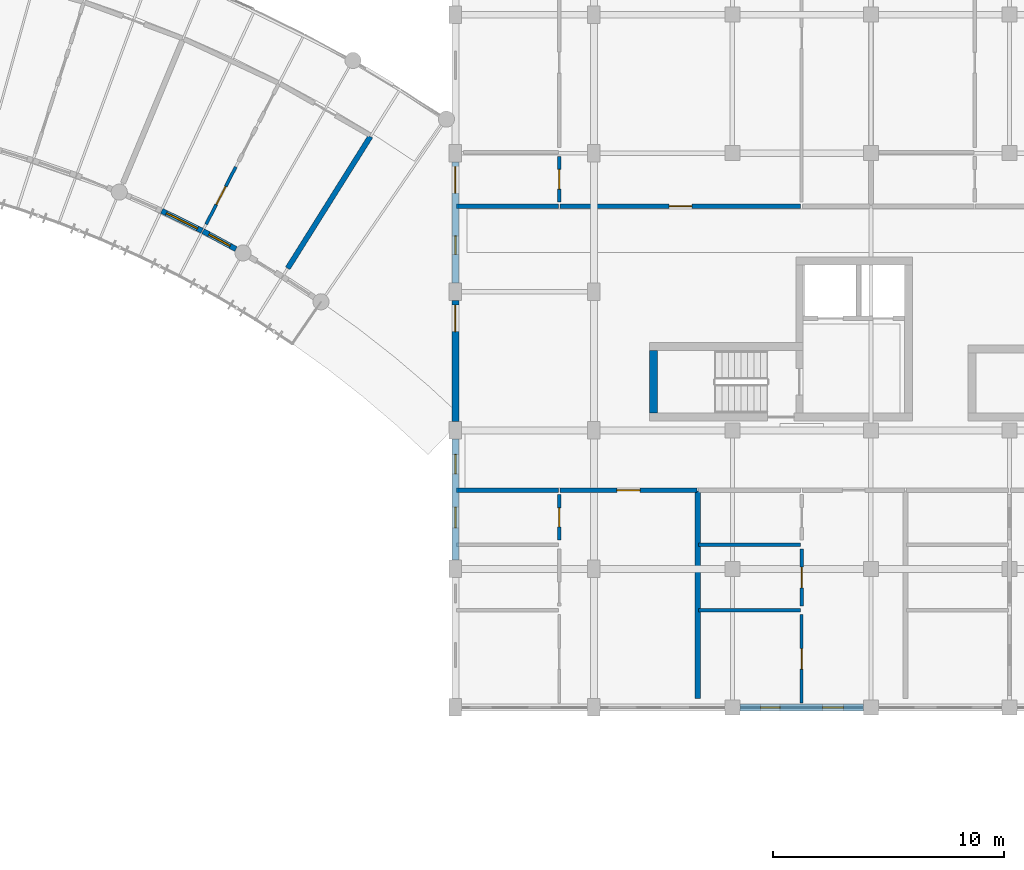
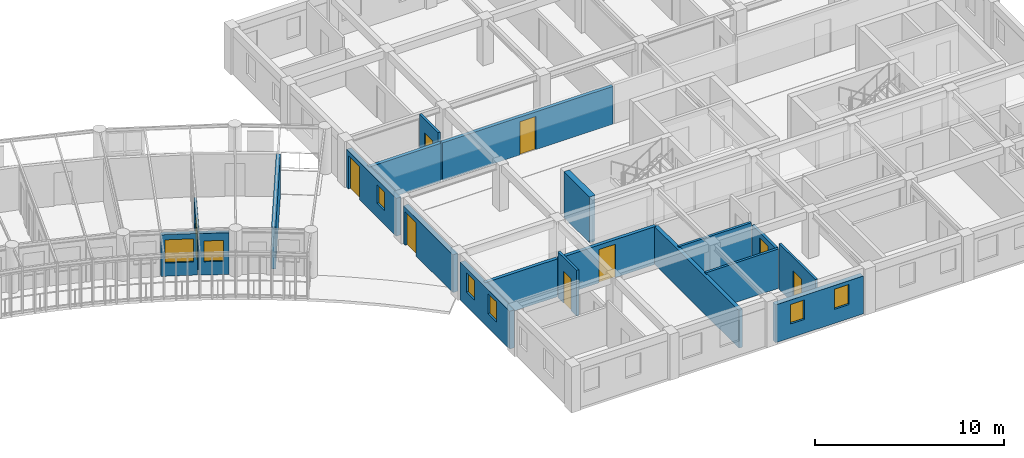
# One storey, part 77 of 100: 20 walls, 9 doors, 7 windows, 16 openings.
"""IFC4 building model written with IfcOpenShell, lengths in metres."""

from ifc_helpers import new_model, si_unit, direction, frame, frame_2d, origin, place, context, subcontext, project, spatial, rectangle, extrude, material, layer, layer_set, type_object, element, fill, save


model = new_model("IFC4")

# Units and contexts
model_context = context("Model", 3, precision=1e-05, world=origin(), true_north=direction((0.0, 1.0)))
body_context = subcontext(model_context, "Body", "Model", "MODEL_VIEW")
ifc_project = project(units=[si_unit("LENGTHUNIT", "METRE"), si_unit("AREAUNIT", "SQUARE_METRE"), si_unit("VOLUMEUNIT", "CUBIC_METRE"), si_unit("PLANEANGLEUNIT", "RADIAN"), si_unit("MASSUNIT", "GRAM", prefix="KILO"), si_unit("POWERUNIT", "WATT"), si_unit("THERMODYNAMICTEMPERATUREUNIT", "KELVIN")], contexts=[model_context])

# Site, building, storey
site_placement = place(None, origin())
site = spatial("IfcSite", under=ifc_project, at=site_placement, CompositionType="ELEMENT")
building_placement = place(site_placement, origin())
building = spatial("IfcBuilding", under=site, at=building_placement, Name="Ruvembo Vaulted Housing Court", CompositionType="ELEMENT")
storey_placement = place(building_placement, frame((0.0, 0.0, 10.89990234375)))
storey = spatial("IfcBuildingStorey", under=building, at=storey_placement, Name="L03", CompositionType="ELEMENT", Elevation=10.89990234375)

# Walls
ifc_material_1 = material(Name="Concrete C35/45", Category="concrete")
ifc_layer_1 = layer(ifc_material_1, 0.35009765625, Name="Concrete C35/45")
ifc_layer_set_1 = layer_set([ifc_layer_1], Name="Concrete C35/45")
wall_type_1 = type_object("IfcWallType", Name="WL-CORE-350", PredefinedType="SHEAR", material=ifc_layer_set_1)
wall_1_placement = place(storey_placement, frame((158.574951171875, 87.449951171875, 0.0), z_axis=(0.0, 0.0, 1.0), x_axis=(0.0, -1.0, 0.0)))
element("IfcWall", 1, at=wall_1_placement, inside=storey, type_object=wall_type_1, Name="Core D1 L03 Stair West Shear Wall", PredefinedType="SHEAR", context=body_context, shape_type="SweptSolid", body=[
    extrude(rectangle(XDim=2.699951171875, YDim=0.35009765625, at=frame_2d((1.35009765625, 0.0))), origin(), (0.0, 0.0, 1.0), 2.960205078125),
])
ifc_material_2 = material(Name="Concrete Blockwork 200", Category="masonry")
ifc_layer_2 = layer(ifc_material_2, 0.199951171875, Name="Concrete Blockwork 200")
ifc_layer_set_2 = layer_set([ifc_layer_2], Name="Concrete Blockwork 200")
wall_type_2 = type_object("IfcWallType", Name="WL-CORR-200", PredefinedType="SOLIDWALL", material=ifc_layer_set_2)
wall_2_placement = place(storey_placement, frame((150.0400390625, 81.39990234375, 0.0), z_axis=(0.0, 0.0, 1.0), x_axis=(1.0, 0.0, 0.0)))
element("IfcWall", 2, at=wall_2_placement, inside=storey, type_object=wall_type_2, Name="L03 Flat D-L03-S1 Corridor Wall WL-INT-L03-00926", PredefinedType="SOLIDWALL", context=body_context, shape_type="SweptSolid", body=[
    extrude(rectangle(XDim=4.419921875, YDim=0.199951171875, at=frame_2d((2.2099609375, 0.0))), origin(), (0.0, 0.0, 1.0), 2.442138671875),
])

# Wall, opening, door
wall_3_placement = place(storey_placement, frame((154.5400390625, 81.39990234375, 0.0), z_axis=(0.0, 0.0, 1.0), x_axis=(1.0, 0.0, 0.0)))
wall_3 = element("IfcWall", 3, at=wall_3_placement, inside=storey, type_object=wall_type_2, Name="L03 Flat D-L03-S1 Entrance WL-INT-L03-00927", PredefinedType="SOLIDWALL", context=body_context, shape_type="SweptSolid", body=[
    extrude(rectangle(XDim=5.919921875, YDim=0.199951171875, at=frame_2d((2.9599609375, 0.0))), origin(), (0.0, 0.0, 1.0), 2.442138671875),
])
opening_1_placement = place(wall_3_placement, frame((2.4599609375, 0.0, 0.0)))
opening_1 = element("IfcOpeningElement", 4, at=opening_1_placement, cuts=wall_3, Name="Opening FD1", PredefinedType="OPENING", context=body_context, shape_type="SweptSolid", body=[
    extrude(rectangle(XDim=1.0, YDim=2.14990234375, at=frame_2d((0.5, 1.074951171875))), frame((0.0, 0.10986328125, 0.0), z_axis=(0.0, -1.0, 0.0), x_axis=(1.0, 0.0, 0.0)), (0.0, 0.0, 1.0), 0.219970703125),
])
ifc_material_3 = material(Name="FSC Hardwood and Engineered Timber", Category="wood")
door_type_1 = type_object("IfcDoorType", Name="DR-FLAT-1000x2150", OperationType="NOTDEFINED", PredefinedType="DOOR", material=ifc_material_3)
door_1_placement = place(opening_1_placement, origin())
door_1 = element("IfcDoor", 5, at=door_1_placement, inside=storey, type_object=door_type_1, Name="L03 Flat D-L03-S1 Entrance Door DR-INT-L03-00510", OperationType="SINGLE_SWING_RIGHT", OverallHeight=2.14990234375, OverallWidth=1.0, PredefinedType="DOOR", context=body_context, shape_type="SweptSolid", body=[
    extrude(rectangle(XDim=1.0, YDim=2.14990234375, at=frame_2d((0.5, 1.074951171875))), frame((0.0, 0.02490234375, 0.0), z_axis=(0.0, -1.0, 0.0), x_axis=(1.0, 0.0, 0.0)), (0.0, 0.0, 1.0), 0.050048828125),
])
fill(opening_1, door_1)

# Wall
wall_4_placement = place(storey_placement, frame((150.0400390625, 93.699951171875, 0.0), z_axis=(0.0, 0.0, 1.0), x_axis=(1.0, 0.0, 0.0)))
element("IfcWall", 6, at=wall_4_placement, inside=storey, type_object=wall_type_2, Name="L03 Flat D-L03-N1 Corridor Wall WL-INT-L03-00957", PredefinedType="SOLIDWALL", context=body_context, shape_type="SweptSolid", body=[
    extrude(rectangle(XDim=4.419921875, YDim=0.199951171875, at=frame_2d((2.2099609375, 0.0))), origin(), (0.0, 0.0, 1.0), 2.442138671875),
])

# Wall, opening, door
wall_5_placement = place(storey_placement, frame((154.5400390625, 93.699951171875, 0.0), z_axis=(0.0, 0.0, 1.0), x_axis=(1.0, 0.0, 0.0)))
wall_5 = element("IfcWall", 7, at=wall_5_placement, inside=storey, type_object=wall_type_2, Name="L03 Flat D-L03-N1 Entrance WL-INT-L03-00958", PredefinedType="SOLIDWALL", context=body_context, shape_type="SweptSolid", body=[
    extrude(rectangle(XDim=10.419921875, YDim=0.199951171875, at=frame_2d((5.2099609375, 0.0))), origin(), (0.0, 0.0, 1.0), 2.442138671875),
])
opening_2_placement = place(wall_5_placement, frame((4.719970703125, 0.0, 0.0)))
opening_2 = element("IfcOpeningElement", 8, at=opening_2_placement, cuts=wall_5, Name="Opening FD2", PredefinedType="OPENING", context=body_context, shape_type="SweptSolid", body=[
    extrude(rectangle(XDim=0.97998046875, YDim=2.14990234375, at=frame_2d((0.489990234375, 1.074951171875))), frame((0.0, 0.10986328125, 0.0), z_axis=(0.0, -1.0, 0.0), x_axis=(1.0, 0.0, 0.0)), (0.0, 0.0, 1.0), 0.219970703125),
])
door_type_2 = type_object("IfcDoorType", Name="DR-FLAT-0980x2150", OperationType="NOTDEFINED", PredefinedType="DOOR", material=ifc_material_3)
door_2_placement = place(opening_2_placement, origin())
door_2 = element("IfcDoor", 9, at=door_2_placement, inside=storey, type_object=door_type_2, Name="L03 Flat D-L03-N1 Entrance Door DR-INT-L03-00526", OperationType="SINGLE_SWING_RIGHT", OverallHeight=2.14990234375, OverallWidth=0.97998046875, PredefinedType="DOOR", context=body_context, shape_type="SweptSolid", body=[
    extrude(rectangle(XDim=0.97998046875, YDim=2.14990234375, at=frame_2d((0.489990234375, 1.074951171875))), frame((0.0, 0.02490234375, 0.0), z_axis=(0.0, -1.0, 0.0), x_axis=(1.0, 0.0, 0.0)), (0.0, 0.0, 1.0), 0.050048828125),
])
fill(opening_2, door_2)

# Walls
ifc_material_4 = material(Name="Acoustic Masonry Demising 230", Category="masonry")
ifc_layer_3 = layer(ifc_material_4, 0.22998046875, Name="Acoustic Masonry Demising 230")
ifc_layer_set_3 = layer_set([ifc_layer_3], Name="Acoustic Masonry Demising 230")
wall_type_3 = type_object("IfcWallType", Name="WL-DEM-230", PredefinedType="SOLIDWALL", material=ifc_layer_set_3)
wall_6_placement = place(storey_placement, frame((160.5, 72.389892578125, 0.0), z_axis=(0.0, 0.0, 1.0), x_axis=(0.0, 1.0, 0.0)))
element("IfcWall", 10, at=wall_6_placement, inside=storey, type_object=wall_type_3, Name="L03 Demising D-L03-S1 WL-INT-L03-00925", PredefinedType="SOLIDWALL", context=body_context, shape_type="SweptSolid", body=[
    extrude(rectangle(XDim=8.97021484375, YDim=0.22998046875, at=frame_2d((4.485107421875, 0.0))), origin(), (0.0, 0.0, 1.0), 2.442138671875),
])
wall_7_placement = place(storey_placement, frame((142.73828125, 91.017333984375, 0.0), z_axis=(0.0, 0.0, 1.0), x_axis=(0.531512997039, 0.847050136638, 0.0)))
element("IfcWall", 11, at=wall_7_placement, inside=storey, type_object=wall_type_3, Name="L03 Suite SC3-L03-U7 Demising WL-INT-L03-01086", PredefinedType="SOLIDWALL", context=body_context, shape_type="SweptSolid", body=[
    extrude(rectangle(XDim=6.736083984375, YDim=0.22998046875, at=frame_2d((3.3681640625, 0.0))), origin(), (0.0, 0.0, 1.0), 2.72216796875),
])

# Wall, opening, window
ifc_material_5 = material(Name="Rendered Masonry 235", Category="masonry")
ifc_layer_4 = layer(ifc_material_5, 0.235107421875, Name="Rendered Masonry 235")
ifc_layer_set_4 = layer_set([ifc_layer_4], Name="Rendered Masonry 235")
wall_type_4 = type_object("IfcWallType", Name="WL-EXT-235", PredefinedType="STANDARD", material=ifc_layer_set_4)
wall_8_placement = place(storey_placement, frame((137.283203125, 93.50341796875, 0.0), z_axis=(0.0, 0.0, 1.0), x_axis=(0.897531751182, -0.44094983345, 0.0)))
wall_8 = element("IfcWall", 12, at=wall_8_placement, inside=storey, type_object=wall_type_4, Name="Scoop SC3 L03 Concave Balcony Wall 25", PredefinedType="STANDARD", context=body_context, shape_type="SweptSolid", body=[
    extrude(rectangle(XDim=1.9521484375, YDim=0.235107421875, at=frame_2d((0.97607421875, 0.0))), origin(), (0.0, 0.0, 1.0), 2.68408203125),
])
opening_3_placement = place(wall_8_placement, frame((0.22607421875, 0.0, 0.85009765625)))
opening_3 = element("IfcOpeningElement", 13, at=opening_3_placement, cuts=wall_8, Name="Opening W19", PredefinedType="OPENING", context=body_context, shape_type="SweptSolid", body=[
    extrude(rectangle(XDim=1.5, YDim=1.5, at=frame_2d((0.75, 0.75))), frame((0.0, 0.12744140625, 0.0), z_axis=(0.0, -1.0, 0.0), x_axis=(1.0, 0.0, 0.0)), (0.0, 0.0, 1.0), 0.255126953125),
])
ifc_material_6 = material(Name="Double Solar-Control Glazing in Aluminium Frame", Category="aluminium")
window_type_1 = type_object("IfcWindowType", Name="WIN-1500x1500", PartitioningType="SINGLE_PANEL", PredefinedType="WINDOW", material=ifc_material_6)
window_1_placement = place(opening_3_placement, origin())
window_1 = element("IfcWindow", 14, at=window_1_placement, inside=storey, type_object=window_type_1, Name="Scoop SC3 L03 Concave Window 25", OverallHeight=1.5, OverallWidth=1.5, PartitioningType="SINGLE_PANEL", PredefinedType="WINDOW", context=body_context, shape_type="SweptSolid", body=[
    extrude(rectangle(XDim=1.5, YDim=1.5, at=frame_2d((0.75, 0.75))), frame((0.0, 0.030029296875, 0.0), z_axis=(0.0, -1.0, 0.0), x_axis=(1.0, 0.0, 0.0)), (0.0, 0.0, 1.0), 0.06005859375),
])
fill(opening_3, window_1)

wall_9_placement = place(storey_placement, frame((139.071044921875, 92.624267578125, 0.0), z_axis=(0.0, 0.0, 1.0), x_axis=(0.878452871629, -0.477828999044, 0.0)))
wall_9 = element("IfcWall", 15, at=wall_9_placement, inside=storey, type_object=wall_type_4, Name="Scoop SC3 L03 Concave Balcony Wall 26", PredefinedType="STANDARD", context=body_context, shape_type="SweptSolid", body=[
    extrude(rectangle(XDim=1.622314453125, YDim=0.235107421875, at=frame_2d((0.81103515625, 0.0))), origin(), (0.0, 0.0, 1.0), 2.68408203125),
])
opening_4_placement = place(wall_9_placement, frame((0.2861328125, 0.0, 0.85009765625)))
opening_4 = element("IfcOpeningElement", 16, at=opening_4_placement, cuts=wall_9, Name="Opening W09", PredefinedType="OPENING", context=body_context, shape_type="SweptSolid", body=[
    extrude(rectangle(XDim=1.050048828125, YDim=1.35009765625, at=frame_2d((0.52490234375, 0.675048828125))), frame((0.0, 0.12744140625, 0.0), z_axis=(0.0, -1.0, 0.0), x_axis=(1.0, 0.0, 0.0)), (0.0, 0.0, 1.0), 0.255126953125),
])
window_type_2 = type_object("IfcWindowType", Name="WIN-1050x1350", PartitioningType="SINGLE_PANEL", PredefinedType="WINDOW", material=ifc_material_6)
window_2_placement = place(opening_4_placement, origin())
window_2 = element("IfcWindow", 17, at=window_2_placement, inside=storey, type_object=window_type_2, Name="Scoop SC3 L03 Concave Window 26", OverallHeight=1.35009765625, OverallWidth=1.050048828125, PartitioningType="SINGLE_PANEL", PredefinedType="WINDOW", context=body_context, shape_type="SweptSolid", body=[
    extrude(rectangle(XDim=1.050048828125, YDim=1.35009765625, at=frame_2d((0.52490234375, 0.675048828125))), frame((0.0, 0.030029296875, 0.0), z_axis=(0.0, -1.0, 0.0), x_axis=(1.0, 0.0, 0.0)), (0.0, 0.0, 1.0), 0.06005859375),
])
fill(opening_4, window_2)

# Wall, openings, windows
ifc_material_7 = material(Name="Rendered Masonry 300", Category="masonry")
ifc_layer_5 = layer(ifc_material_7, 0.300048828125, Name="Rendered Masonry 300")
ifc_layer_set_5 = layer_set([ifc_layer_5], Name="Rendered Masonry 300")
wall_type_5 = type_object("IfcWallType", Name="WL-EXT-300", PredefinedType="STANDARD", material=ifc_layer_set_5)
wall_10_placement = place(storey_placement, frame((162.324951171875, 72.0, 0.0), z_axis=(0.0, 0.0, 1.0), x_axis=(1.0, 0.0, 0.0)))
wall_10 = element("IfcWall", 18, at=wall_10_placement, inside=storey, type_object=wall_type_5, Name="Block D L03 Exterior Wall COURTYARD #3", PredefinedType="STANDARD", context=body_context, shape_type="SweptSolid", body=[
    extrude(rectangle(XDim=5.35009765625, YDim=0.300048828125, at=frame_2d((2.675048828125, 0.0))), origin(), (0.0, 0.0, 1.0), 2.442138671875),
])
opening_5_placement = place(wall_10_placement, frame((0.892578125, 0.0, 0.89990234375)))
opening_5 = element("IfcOpeningElement", 19, at=opening_5_placement, cuts=wall_10, Name="Opening W03", PredefinedType="OPENING", context=body_context, shape_type="SweptSolid", body=[
    extrude(rectangle(XDim=0.85009765625, YDim=1.25, at=frame_2d((0.425048828125, 0.625))), frame((0.0, 0.159912109375, 0.0), z_axis=(0.0, -1.0, 0.0), x_axis=(1.0, 0.0, 0.0)), (0.0, 0.0, 1.0), 0.320068359375),
])
opening_6_placement = place(wall_10_placement, frame((3.58251953125, 0.0, 0.89990234375)))
opening_6 = element("IfcOpeningElement", 20, at=opening_6_placement, cuts=wall_10, Name="Opening W04", PredefinedType="OPENING", context=body_context, shape_type="SweptSolid", body=[
    extrude(rectangle(XDim=0.89990234375, YDim=1.300048828125, at=frame_2d((0.449951171875, 0.64990234375))), frame((0.0, 0.159912109375, 0.0), z_axis=(0.0, -1.0, 0.0), x_axis=(1.0, 0.0, 0.0)), (0.0, 0.0, 1.0), 0.320068359375),
])
window_type_3 = type_object("IfcWindowType", Name="WIN-0850x1250", PartitioningType="SINGLE_PANEL", PredefinedType="WINDOW", material=ifc_material_6)
window_3_placement = place(opening_5_placement, origin())
window_3 = element("IfcWindow", 21, at=window_3_placement, inside=storey, type_object=window_type_3, Name="Block D L03 Window #1579", OverallHeight=1.25, OverallWidth=0.85009765625, PartitioningType="SINGLE_PANEL", PredefinedType="WINDOW", context=body_context, shape_type="SweptSolid", body=[
    extrude(rectangle(XDim=0.85009765625, YDim=1.25, at=frame_2d((0.425048828125, 0.625))), frame((0.0, 0.030029296875, 0.0), z_axis=(0.0, -1.0, 0.0), x_axis=(1.0, 0.0, 0.0)), (0.0, 0.0, 1.0), 0.06005859375),
])
fill(opening_5, window_3)
window_type_4 = type_object("IfcWindowType", Name="WIN-0900x1300", PartitioningType="SINGLE_PANEL", PredefinedType="WINDOW", material=ifc_material_6)
window_4_placement = place(opening_6_placement, origin())
window_4 = element("IfcWindow", 22, at=window_4_placement, inside=storey, type_object=window_type_4, Name="Block D L03 Window #1580", OverallHeight=1.300048828125, OverallWidth=0.89990234375, PartitioningType="SINGLE_PANEL", PredefinedType="WINDOW", context=body_context, shape_type="SweptSolid", body=[
    extrude(rectangle(XDim=0.89990234375, YDim=1.300048828125, at=frame_2d((0.449951171875, 0.64990234375))), frame((0.0, 0.030029296875, 0.0), z_axis=(0.0, -1.0, 0.0), x_axis=(1.0, 0.0, 0.0)), (0.0, 0.0, 1.0), 0.06005859375),
])
fill(opening_6, window_4)

# Wall, openings, door, window
wall_11_placement = place(storey_placement, frame((150.0, 95.625, 0.0), z_axis=(0.0, 0.0, 1.0), x_axis=(0.0, -1.0, 0.0)))
wall_11 = element("IfcWall", 23, at=wall_11_placement, inside=storey, type_object=wall_type_5, Name="Block D L03 Exterior Wall WEST #3", PredefinedType="STANDARD", context=body_context, shape_type="SweptSolid", body=[
    extrude(rectangle(XDim=5.25, YDim=0.300048828125, at=frame_2d((2.625, 0.0))), origin(), (0.0, 0.0, 1.0), 2.442138671875),
])
opening_7_placement = place(wall_11_placement, frame((0.199951171875, 0.0, 0.0)))
opening_7 = element("IfcOpeningElement", 24, at=opening_7_placement, cuts=wall_11, Name="Opening GD1", PredefinedType="OPENING", context=body_context, shape_type="SweptSolid", body=[
    extrude(rectangle(XDim=1.14990234375, YDim=2.14990234375, at=frame_2d((0.574951171875, 1.074951171875))), frame((0.0, 0.159912109375, 0.0), z_axis=(0.0, -1.0, 0.0), x_axis=(1.0, 0.0, 0.0)), (0.0, 0.0, 1.0), 0.320068359375),
])
opening_8_placement = place(wall_11_placement, frame((3.20751953125, 0.0, 0.89990234375)))
opening_8 = element("IfcOpeningElement", 25, at=opening_8_placement, cuts=wall_11, Name="Opening W02", PredefinedType="OPENING", context=body_context, shape_type="SweptSolid", body=[
    extrude(rectangle(XDim=0.800048828125, YDim=1.199951171875, at=frame_2d((0.39990234375, 0.60009765625))), frame((0.0, 0.159912109375, 0.0), z_axis=(0.0, -1.0, 0.0), x_axis=(1.0, 0.0, 0.0)), (0.0, 0.0, 1.0), 0.320068359375),
])
ifc_material_8 = material(Name="Thermally Broken Glazed Aluminium", Category="aluminium")
door_type_3 = type_object("IfcDoorType", Name="DR-GAL-1150x2150", OperationType="NOTDEFINED", PredefinedType="DOOR", material=ifc_material_8)
door_3_placement = place(opening_7_placement, frame((1.14990234375, 0.0, 0.0), z_axis=(0.0, 0.0, 1.0), x_axis=(-1.0, 0.0, 0.0)))
door_3 = element("IfcDoor", 26, at=door_3_placement, inside=storey, type_object=door_type_3, Name="Block D L03 Terrace or Gallery Door DR-TER-D-L03-072", OperationType="SINGLE_SWING_LEFT", OverallHeight=2.14990234375, OverallWidth=1.14990234375, PredefinedType="DOOR", context=body_context, shape_type="SweptSolid", body=[
    extrude(rectangle(XDim=1.14990234375, YDim=2.14990234375, at=frame_2d((0.574951171875, 1.074951171875))), frame((0.0, 0.02490234375, 0.0), z_axis=(0.0, -1.0, 0.0), x_axis=(1.0, 0.0, 0.0)), (0.0, 0.0, 1.0), 0.050048828125),
])
fill(opening_7, door_3)
window_type_5 = type_object("IfcWindowType", Name="WIN-0800x1200", PartitioningType="SINGLE_PANEL", PredefinedType="WINDOW", material=ifc_material_6)
window_5_placement = place(opening_8_placement, origin())
window_5 = element("IfcWindow", 27, at=window_5_placement, inside=storey, type_object=window_type_5, Name="Block D L03 Window #1614", OverallHeight=1.199951171875, OverallWidth=0.800048828125, PartitioningType="SINGLE_PANEL", PredefinedType="WINDOW", context=body_context, shape_type="SweptSolid", body=[
    extrude(rectangle(XDim=0.800048828125, YDim=1.199951171875, at=frame_2d((0.39990234375, 0.60009765625))), frame((0.0, 0.030029296875, 0.0), z_axis=(0.0, -1.0, 0.0), x_axis=(1.0, 0.0, 0.0)), (0.0, 0.0, 1.0), 0.06005859375),
])
fill(opening_8, window_5)

# Wall, opening, door
wall_12_placement = place(storey_placement, frame((150.0, 89.625, 0.0), z_axis=(0.0, 0.0, 1.0), x_axis=(0.0, -1.0, 0.0)))
wall_12 = element("IfcWall", 28, at=wall_12_placement, inside=storey, type_object=wall_type_5, Name="Block D L03 Exterior Wall WEST #4", PredefinedType="STANDARD", context=body_context, shape_type="SweptSolid", body=[
    extrude(rectangle(XDim=5.25, YDim=0.300048828125, at=frame_2d((2.625, 0.0))), origin(), (0.0, 0.0, 1.0), 2.442138671875),
])
opening_9_placement = place(wall_12_placement, frame((0.199951171875, 0.0, 0.0)))
opening_9 = element("IfcOpeningElement", 29, at=opening_9_placement, cuts=wall_12, Name="Opening GD1", PredefinedType="OPENING", context=body_context, shape_type="SweptSolid", body=[
    extrude(rectangle(XDim=1.14990234375, YDim=2.14990234375, at=frame_2d((0.574951171875, 1.074951171875))), frame((0.0, 0.159912109375, 0.0), z_axis=(0.0, -1.0, 0.0), x_axis=(1.0, 0.0, 0.0)), (0.0, 0.0, 1.0), 0.320068359375),
])
door_4_placement = place(opening_9_placement, frame((1.14990234375, 0.0, 0.0), z_axis=(0.0, 0.0, 1.0), x_axis=(-1.0, 0.0, 0.0)))
door_4 = element("IfcDoor", 30, at=door_4_placement, inside=storey, type_object=door_type_3, Name="Block D L03 Terrace or Gallery Door DR-TER-D-L03-073", OperationType="SINGLE_SWING_RIGHT", OverallHeight=2.14990234375, OverallWidth=1.14990234375, PredefinedType="DOOR", context=body_context, shape_type="SweptSolid", body=[
    extrude(rectangle(XDim=1.14990234375, YDim=2.14990234375, at=frame_2d((0.574951171875, 1.074951171875))), frame((0.0, 0.02490234375, 0.0), z_axis=(0.0, -1.0, 0.0), x_axis=(1.0, 0.0, 0.0)), (0.0, 0.0, 1.0), 0.050048828125),
])
fill(opening_9, door_4)

# Wall, openings, windows
wall_13_placement = place(storey_placement, frame((150.0, 83.625, 0.0), z_axis=(0.0, 0.0, 1.0), x_axis=(0.0, -1.0, 0.0)))
wall_13 = element("IfcWall", 31, at=wall_13_placement, inside=storey, type_object=wall_type_5, Name="Block D L03 Exterior Wall WEST #5", PredefinedType="STANDARD", context=body_context, shape_type="SweptSolid", body=[
    extrude(rectangle(XDim=5.25, YDim=0.300048828125, at=frame_2d((2.625, 0.0))), origin(), (0.0, 0.0, 1.0), 2.442138671875),
])
opening_10_placement = place(wall_13_placement, frame((0.66748046875, 0.0, 0.89990234375)))
opening_10 = element("IfcOpeningElement", 32, at=opening_10_placement, cuts=wall_13, Name="Opening W03", PredefinedType="OPENING", context=body_context, shape_type="SweptSolid", body=[
    extrude(rectangle(XDim=0.85009765625, YDim=1.25, at=frame_2d((0.425048828125, 0.625))), frame((0.0, 0.159912109375, 0.0), z_axis=(0.0, -1.0, 0.0), x_axis=(1.0, 0.0, 0.0)), (0.0, 0.0, 1.0), 0.320068359375),
])
opening_11_placement = place(wall_13_placement, frame((2.949951171875, 0.0, 0.89990234375)))
opening_11 = element("IfcOpeningElement", 33, at=opening_11_placement, cuts=wall_13, Name="Opening W04", PredefinedType="OPENING", context=body_context, shape_type="SweptSolid", body=[
    extrude(rectangle(XDim=0.89990234375, YDim=1.300048828125, at=frame_2d((0.449951171875, 0.64990234375))), frame((0.0, 0.159912109375, 0.0), z_axis=(0.0, -1.0, 0.0), x_axis=(1.0, 0.0, 0.0)), (0.0, 0.0, 1.0), 0.320068359375),
])
window_6_placement = place(opening_10_placement, origin())
window_6 = element("IfcWindow", 34, at=window_6_placement, inside=storey, type_object=window_type_3, Name="Block D L03 Window #1615", OverallHeight=1.25, OverallWidth=0.85009765625, PartitioningType="SINGLE_PANEL", PredefinedType="WINDOW", context=body_context, shape_type="SweptSolid", body=[
    extrude(rectangle(XDim=0.85009765625, YDim=1.25, at=frame_2d((0.425048828125, 0.625))), frame((0.0, 0.030029296875, 0.0), z_axis=(0.0, -1.0, 0.0), x_axis=(1.0, 0.0, 0.0)), (0.0, 0.0, 1.0), 0.06005859375),
])
fill(opening_10, window_6)
window_7_placement = place(opening_11_placement, origin())
window_7 = element("IfcWindow", 35, at=window_7_placement, inside=storey, type_object=window_type_4, Name="Block D L03 Window #1616", OverallHeight=1.300048828125, OverallWidth=0.89990234375, PartitioningType="SINGLE_PANEL", PredefinedType="WINDOW", context=body_context, shape_type="SweptSolid", body=[
    extrude(rectangle(XDim=0.89990234375, YDim=1.300048828125, at=frame_2d((0.449951171875, 0.64990234375))), frame((0.0, 0.030029296875, 0.0), z_axis=(0.0, -1.0, 0.0), x_axis=(1.0, 0.0, 0.0)), (0.0, 0.0, 1.0), 0.06005859375),
])
fill(opening_11, window_7)

# Wall, opening, door
ifc_material_9 = material(Name="Acoustic Stud Partition 135", Category="gypsum")
ifc_layer_6 = layer(ifc_material_9, 0.135009765625, Name="Acoustic Stud Partition 135")
ifc_layer_set_6 = layer_set([ifc_layer_6], Name="Acoustic Stud Partition 135")
wall_type_6 = type_object("IfcWallType", Name="WL-PART-135", PredefinedType="PARTITIONING", material=ifc_layer_set_6)
wall_14_placement = place(storey_placement, frame((165.0, 72.18994140625, 0.0), z_axis=(0.0, 0.0, 1.0), x_axis=(0.0, 1.0, 0.0)))
wall_14 = element("IfcWall", 36, at=wall_14_placement, inside=storey, type_object=wall_type_6, Name="L03 Flat D-L03-S2 Bedroom 1 WL-INT-L03-00936", PredefinedType="PARTITIONING", context=body_context, shape_type="SweptSolid", body=[
    extrude(rectangle(XDim=3.820068359375, YDim=0.135009765625, at=frame_2d((1.91015625, 0.0))), origin(), (0.0, 0.0, 1.0), 2.960205078125),
])
opening_12_placement = place(wall_14_placement, frame((1.469970703125, 0.0, 0.0)))
opening_12 = element("IfcOpeningElement", 37, at=opening_12_placement, cuts=wall_14, Name="Opening ID3", PredefinedType="OPENING", context=body_context, shape_type="SweptSolid", body=[
    extrude(rectangle(XDim=0.8798828125, YDim=2.10009765625, at=frame_2d((0.43994140625, 1.050048828125))), frame((0.0, 0.077392578125, 0.0), z_axis=(0.0, -1.0, 0.0), x_axis=(1.0, 0.0, 0.0)), (0.0, 0.0, 1.0), 0.155029296875),
])
door_type_4 = type_object("IfcDoorType", Name="DR-ROOM-0880x2100", OperationType="NOTDEFINED", PredefinedType="DOOR", material=ifc_material_3)
door_5_placement = place(opening_12_placement, origin())
door_5 = element("IfcDoor", 38, at=door_5_placement, inside=storey, type_object=door_type_4, Name="L03 Flat D-L03-S2 Bedroom 1 Door DR-INT-L03-00515", OperationType="SINGLE_SWING_LEFT", OverallHeight=2.10009765625, OverallWidth=0.8798828125, PredefinedType="DOOR", context=body_context, shape_type="SweptSolid", body=[
    extrude(rectangle(XDim=0.8798828125, YDim=2.10009765625, at=frame_2d((0.43994140625, 1.050048828125))), frame((0.0, 0.02490234375, 0.0), z_axis=(0.0, -1.0, 0.0), x_axis=(1.0, 0.0, 0.0)), (0.0, 0.0, 1.0), 0.050048828125),
])
fill(opening_12, door_5)

wall_15_placement = place(storey_placement, frame((139.2041015625, 92.92529296875, 0.0), z_axis=(0.0, 0.0, 1.0), x_axis=(0.459449012792, 0.888204145816, 0.0)))
wall_15 = element("IfcWall", 39, at=wall_15_placement, inside=storey, type_object=wall_type_6, Name="L03 Suite SC3-L03-U7 Bedroom WL-INT-L03-01083", PredefinedType="PARTITIONING", context=body_context, shape_type="SweptSolid", body=[
    extrude(rectangle(XDim=2.7998046875, YDim=0.135009765625, at=frame_2d((1.39990234375, 0.0))), origin(), (0.0, 0.0, 1.0), 2.7421875),
])
opening_13_placement = place(wall_15_placement, frame((0.9599609375, 0.0, 0.0)))
opening_13 = element("IfcOpeningElement", 40, at=opening_13_placement, cuts=wall_15, Name="Opening ID3", PredefinedType="OPENING", context=body_context, shape_type="SweptSolid", body=[
    extrude(rectangle(XDim=0.8798828125, YDim=2.10009765625, at=frame_2d((0.43994140625, 1.050048828125))), frame((0.0, 0.077392578125, 0.0), z_axis=(0.0, -1.0, 0.0), x_axis=(1.0, 0.0, 0.0)), (0.0, 0.0, 1.0), 0.155029296875),
])
door_6_placement = place(opening_13_placement, origin())
door_6 = element("IfcDoor", 41, at=door_6_placement, inside=storey, type_object=door_type_4, Name="L03 Suite SC3-L03-U7 Bedroom Door DR-INT-L03-00609", OperationType="SINGLE_SWING_LEFT", OverallHeight=2.10009765625, OverallWidth=0.8798828125, PredefinedType="DOOR", context=body_context, shape_type="SweptSolid", body=[
    extrude(rectangle(XDim=0.8798828125, YDim=2.10009765625, at=frame_2d((0.43994140625, 1.050048828125))), frame((0.0, 0.02490234375, 0.0), z_axis=(0.0, -1.0, 0.0), x_axis=(1.0, 0.0, 0.0)), (0.0, 0.0, 1.0), 0.050048828125),
])
fill(opening_13, door_6)

ifc_material_10 = material(Name="Moisture-Resistant Wet Partition 150", Category="gypsum")
ifc_layer_7 = layer(ifc_material_10, 0.14990234375, Name="Moisture-Resistant Wet Partition 150")
ifc_layer_set_7 = layer_set([ifc_layer_7], Name="Moisture-Resistant Wet Partition 150")
wall_type_7 = type_object("IfcWallType", Name="WL-PART-150", PredefinedType="PARTITIONING", material=ifc_layer_set_7)
wall_16_placement = place(storey_placement, frame((154.5, 79.239990234375, 0.0), z_axis=(0.0, 0.0, 1.0), x_axis=(0.0, 1.0, 0.0)))
wall_16 = element("IfcWall", 42, at=wall_16_placement, inside=storey, type_object=wall_type_7, Name="L03 Flat D-L03-S1 Bathroom WL-INT-L03-00930", PredefinedType="PARTITIONING", context=body_context, shape_type="SweptSolid", body=[
    extrude(rectangle(XDim=1.969970703125, YDim=0.14990234375, at=frame_2d((0.98486328125, 0.0))), origin(), (0.0, 0.0, 1.0), 2.960205078125),
])
opening_14_placement = place(wall_16_placement, frame((0.574951171875, 0.0, 0.0)))
opening_14 = element("IfcOpeningElement", 43, at=opening_14_placement, cuts=wall_16, Name="Opening ID4", PredefinedType="OPENING", context=body_context, shape_type="SweptSolid", body=[
    extrude(rectangle(XDim=0.820068359375, YDim=2.080078125, at=frame_2d((0.41015625, 1.0400390625))), frame((0.0, 0.0849609375, 0.0), z_axis=(0.0, -1.0, 0.0), x_axis=(1.0, 0.0, 0.0)), (0.0, 0.0, 1.0), 0.169921875),
])
door_type_5 = type_object("IfcDoorType", Name="DR-WET-0820x2080", OperationType="NOTDEFINED", PredefinedType="DOOR", material=ifc_material_3)
door_7_placement = place(opening_14_placement, origin())
door_7 = element("IfcDoor", 44, at=door_7_placement, inside=storey, type_object=door_type_5, Name="L03 Flat D-L03-S1 Bathroom Door DR-INT-L03-00513", OperationType="SINGLE_SWING_LEFT", OverallHeight=2.080078125, OverallWidth=0.820068359375, PredefinedType="DOOR", context=body_context, shape_type="SweptSolid", body=[
    extrude(rectangle(XDim=0.820068359375, YDim=2.080078125, at=frame_2d((0.41015625, 1.0400390625))), frame((0.0, 0.02490234375, 0.0), z_axis=(0.0, -1.0, 0.0), x_axis=(1.0, 0.0, 0.0)), (0.0, 0.0, 1.0), 0.050048828125),
])
fill(opening_14, door_7)

# Walls
wall_17_placement = place(storey_placement, frame((160.5400390625, 76.199951171875, 0.0), z_axis=(0.0, 0.0, 1.0), x_axis=(1.0, 0.0, 0.0)))
element("IfcWall", 45, at=wall_17_placement, inside=storey, type_object=wall_type_7, Name="L03 Flat D-L03-S2 Wet Wall 1 WL-INT-L03-00939", PredefinedType="PARTITIONING", context=body_context, shape_type="SweptSolid", body=[
    extrude(rectangle(XDim=4.419921875, YDim=0.14990234375, at=frame_2d((2.2099609375, 0.0))), origin(), (0.0, 0.0, 1.0), 2.548095703125),
])
wall_18_placement = place(storey_placement, frame((160.5400390625, 79.050048828125, 0.0), z_axis=(0.0, 0.0, 1.0), x_axis=(1.0, 0.0, 0.0)))
element("IfcWall", 46, at=wall_18_placement, inside=storey, type_object=wall_type_7, Name="L03 Flat D-L03-S2 Wet Wall 2 WL-INT-L03-00940", PredefinedType="PARTITIONING", context=body_context, shape_type="SweptSolid", body=[
    extrude(rectangle(XDim=4.419921875, YDim=0.14990234375, at=frame_2d((2.2099609375, 0.0))), origin(), (0.0, 0.0, 1.0), 2.508056640625),
])

# Wall, opening, door
wall_19_placement = place(storey_placement, frame((154.5, 93.889892578125, 0.0), z_axis=(0.0, 0.0, 1.0), x_axis=(0.0, 1.0, 0.0)))
wall_19 = element("IfcWall", 47, at=wall_19_placement, inside=storey, type_object=wall_type_7, Name="L03 Flat D-L03-N1 Bathroom WL-INT-L03-00961", PredefinedType="PARTITIONING", context=body_context, shape_type="SweptSolid", body=[
    extrude(rectangle(XDim=1.97021484375, YDim=0.14990234375, at=frame_2d((0.985107421875, 0.0))), origin(), (0.0, 0.0, 1.0), 2.960205078125),
])
opening_15_placement = place(wall_19_placement, frame((0.56005859375, 0.0, 0.0)))
opening_15 = element("IfcOpeningElement", 48, at=opening_15_placement, cuts=wall_19, Name="Opening ID2", PredefinedType="OPENING", context=body_context, shape_type="SweptSolid", body=[
    extrude(rectangle(XDim=0.85009765625, YDim=2.10009765625, at=frame_2d((0.425048828125, 1.050048828125))), frame((0.0, 0.0849609375, 0.0), z_axis=(0.0, -1.0, 0.0), x_axis=(1.0, 0.0, 0.0)), (0.0, 0.0, 1.0), 0.169921875),
])
door_type_6 = type_object("IfcDoorType", Name="DR-WET-0850x2100", OperationType="NOTDEFINED", PredefinedType="DOOR", material=ifc_material_3)
door_8_placement = place(opening_15_placement, origin())
door_8 = element("IfcDoor", 49, at=door_8_placement, inside=storey, type_object=door_type_6, Name="L03 Flat D-L03-N1 Bathroom Door DR-INT-L03-00529", OperationType="SINGLE_SWING_LEFT", OverallHeight=2.10009765625, OverallWidth=0.85009765625, PredefinedType="DOOR", context=body_context, shape_type="SweptSolid", body=[
    extrude(rectangle(XDim=0.85009765625, YDim=2.10009765625, at=frame_2d((0.425048828125, 1.050048828125))), frame((0.0, 0.02490234375, 0.0), z_axis=(0.0, -1.0, 0.0), x_axis=(1.0, 0.0, 0.0)), (0.0, 0.0, 1.0), 0.050048828125),
])
fill(opening_15, door_8)

ifc_material_11 = material(Name="Acoustic Service Chase Wall 160", Category="gypsum")
ifc_layer_8 = layer(ifc_material_11, 0.159912109375, Name="Acoustic Service Chase Wall 160")
ifc_layer_set_8 = layer_set([ifc_layer_8], Name="Acoustic Service Chase Wall 160")
wall_type_8 = type_object("IfcWallType", Name="WL-PLUMB-160", PredefinedType="PLUMBINGWALL", material=ifc_layer_set_8)
wall_20_placement = place(storey_placement, frame((165.0, 76.389892578125, 0.0), z_axis=(0.0, 0.0, 1.0), x_axis=(0.0, 1.0, 0.0)))
wall_20 = element("IfcWall", 50, at=wall_20_placement, inside=storey, type_object=wall_type_8, Name="L03 Flat D-L03-S2 Kitchen WL-INT-L03-00937", PredefinedType="PLUMBINGWALL", context=body_context, shape_type="SweptSolid", body=[
    extrude(rectangle(XDim=2.47021484375, YDim=0.159912109375, at=frame_2d((1.235107421875, 0.0))), origin(), (0.0, 0.0, 1.0), 2.442138671875),
])
opening_16_placement = place(wall_20_placement, frame((0.784912109375, 0.0, 0.0)))
opening_16 = element("IfcOpeningElement", 51, at=opening_16_placement, cuts=wall_20, Name="Opening ID1", PredefinedType="OPENING", context=body_context, shape_type="SweptSolid", body=[
    extrude(rectangle(XDim=0.89990234375, YDim=2.10009765625, at=frame_2d((0.449951171875, 1.050048828125))), frame((0.0, 0.08984375, 0.0), z_axis=(0.0, -1.0, 0.0), x_axis=(1.0, 0.0, 0.0)), (0.0, 0.0, 1.0), 0.179931640625),
])
door_type_7 = type_object("IfcDoorType", Name="DR-ROOM-0900x2100", OperationType="NOTDEFINED", PredefinedType="DOOR", material=ifc_material_3)
door_9_placement = place(opening_16_placement, origin())
door_9 = element("IfcDoor", 52, at=door_9_placement, inside=storey, type_object=door_type_7, Name="L03 Flat D-L03-S2 Kitchen Door DR-INT-L03-00516", OperationType="SINGLE_SWING_RIGHT", OverallHeight=2.10009765625, OverallWidth=0.89990234375, PredefinedType="DOOR", context=body_context, shape_type="SweptSolid", body=[
    extrude(rectangle(XDim=0.89990234375, YDim=2.10009765625, at=frame_2d((0.449951171875, 1.050048828125))), frame((0.0, 0.02490234375, 0.0), z_axis=(0.0, -1.0, 0.0), x_axis=(1.0, 0.0, 0.0)), (0.0, 0.0, 1.0), 0.050048828125),
])
fill(opening_16, door_9)

save(model, "model.ifc")
